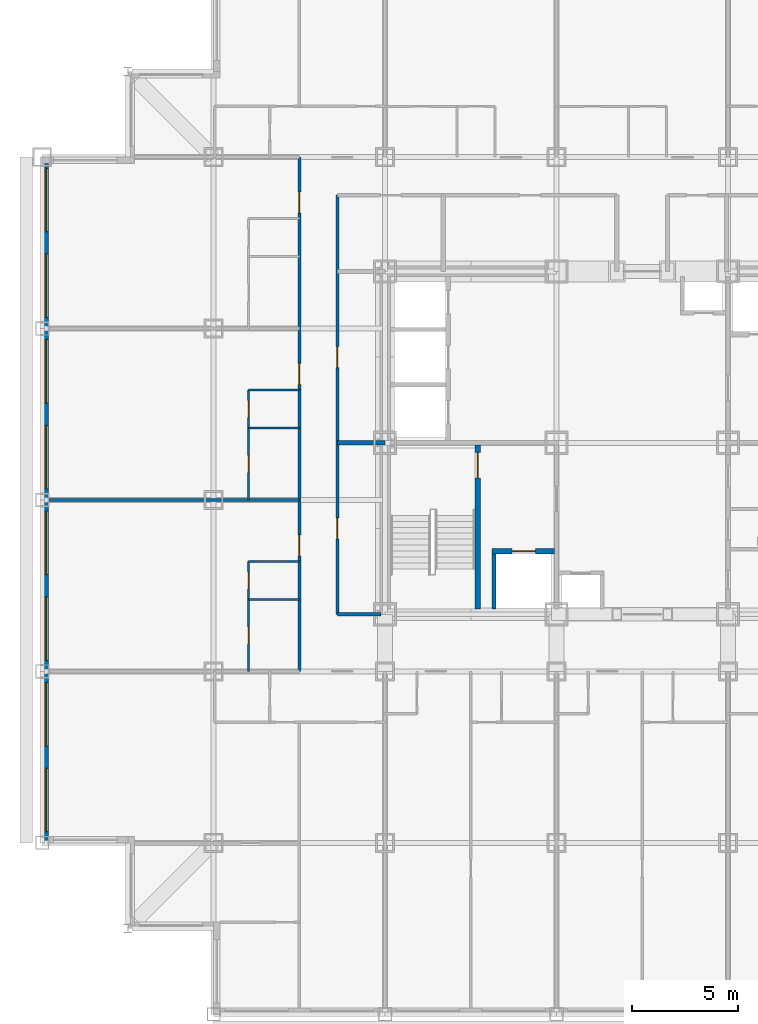
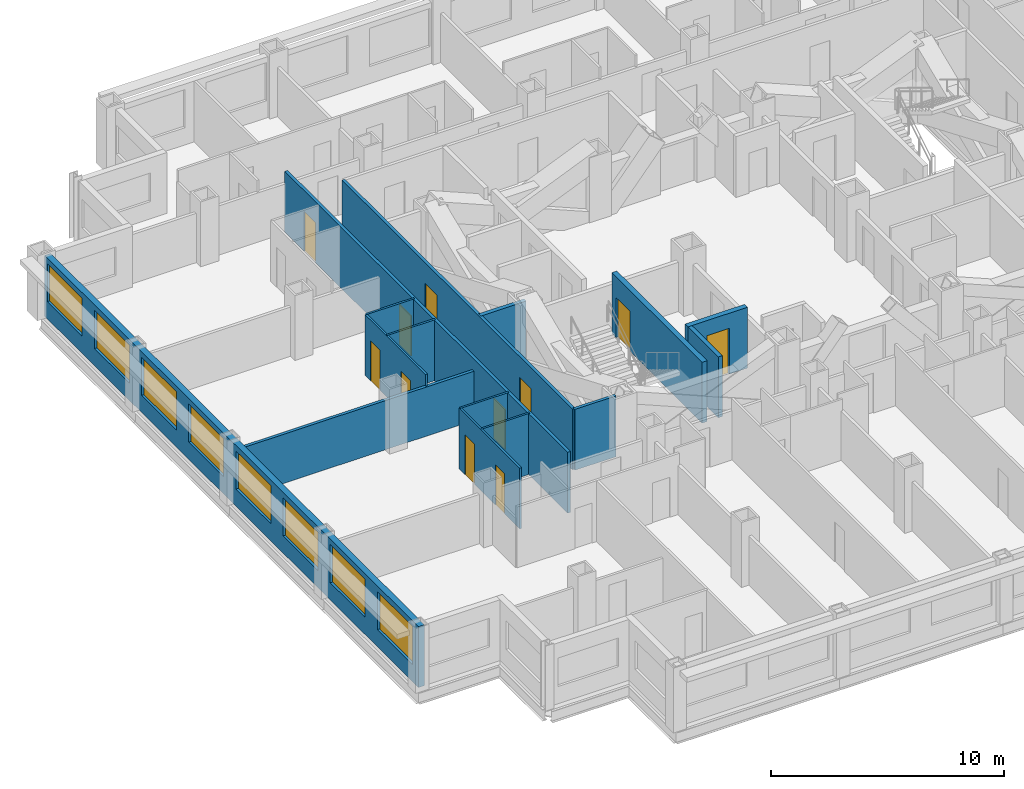
# One storey, part 5 of 13: 15 walls, 11 doors, 8 windows, 19 openings.
"""IFC4 building model written with IfcOpenShell, lengths in metres."""

from ifc_helpers import new_model, si_unit, direction, frame, frame_2d, origin, place, context, subcontext, project, spatial, rectangle, extrude, material, layer, layer_set, type_object, element, fill, save


model = new_model("IFC4")

# Units and contexts
model_context = context("Model", 3, precision=1e-05, world=origin(), true_north=direction((0.0, 1.0)))
body_context = subcontext(model_context, "Body", "Model", "MODEL_VIEW")
ifc_project = project(units=[si_unit("LENGTHUNIT", "METRE"), si_unit("AREAUNIT", "SQUARE_METRE"), si_unit("VOLUMEUNIT", "CUBIC_METRE"), si_unit("PLANEANGLEUNIT", "RADIAN"), si_unit("MASSUNIT", "GRAM", prefix="KILO")], contexts=[model_context])

# Site, building, storey
site_placement = place(None, origin())
site = spatial("IfcSite", under=ifc_project, at=site_placement, CompositionType="ELEMENT")
building_placement = place(site_placement, origin())
building = spatial("IfcBuilding", under=site, at=building_placement, Name="Kopane Lantern Tower", CompositionType="ELEMENT")
storey_placement = place(building_placement, frame((0.0, 0.0, 110.199951171875)))
storey = spatial("IfcBuildingStorey", under=building, at=storey_placement, Name="L27", CompositionType="ELEMENT", Elevation=110.199951171875)

# Wall, openings, doors
ifc_material_1 = material(Name="Moisture-resistant board on steel studs", Category="steel")
ifc_layer_1 = layer(ifc_material_1, 0.10009765625)
ifc_layer_set_1 = layer_set([ifc_layer_1], Name="BATHROOM WALL 100")
wall_type_1 = type_object("IfcWallType", Name="BATHROOM WALL 100", PredefinedType="PARTITIONING", material=ifc_layer_set_1)
wall_1_placement = place(storey_placement, frame((9.75, 21.60009765625, 0.0), z_axis=(0.0, 0.0, 1.0), x_axis=(0.0, 1.0, 0.0)))
wall_1 = element("IfcWall", 1, at=wall_1_placement, inside=storey, type_object=wall_type_1, Name="Bathroom Wall 100 L27", PredefinedType="PARTITIONING", context=body_context, shape_type="SweptSolid", body=[
    extrude(rectangle(XDim=5.199951171875, YDim=0.10009765625, at=frame_2d((2.60009765625, 0.0))), origin(), (0.0, 0.0, 1.0), 3.18994140625),
])
opening_1_placement = place(wall_1_placement, frame((1.300048828125, 0.0, 0.0)))
opening_1 = element("IfcOpeningElement", 2, at=opening_1_placement, cuts=wall_1, Name="Opening L27-030", PredefinedType="OPENING", context=body_context, shape_type="SweptSolid", body=[
    extrude(rectangle(XDim=0.800048828125, YDim=2.10009765625, at=frame_2d((0.39990234375, 1.050048828125))), frame((0.0, 0.06005859375, 0.0), z_axis=(0.0, -1.0, 0.0), x_axis=(1.0, 0.0, 0.0)), (0.0, 0.0, 1.0), 0.1201171875),
])
opening_2_placement = place(wall_1_placement, frame((3.89990234375, 0.0, 0.0)))
opening_2 = element("IfcOpeningElement", 3, at=opening_2_placement, cuts=wall_1, Name="Opening L27-031", PredefinedType="OPENING", context=body_context, shape_type="SweptSolid", body=[
    extrude(rectangle(XDim=0.800048828125, YDim=2.10009765625, at=frame_2d((0.39990234375, 1.050048828125))), frame((0.0, 0.06005859375, 0.0), z_axis=(0.0, -1.0, 0.0), x_axis=(1.0, 0.0, 0.0)), (0.0, 0.0, 1.0), 0.1201171875),
])
ifc_material_2 = material(Name="Timber door set", Category="wood")
door_type_1 = type_object("IfcDoorType", Name="DOOR D2 800x2100", OperationType="SINGLE_SWING_LEFT", PredefinedType="DOOR", material=ifc_material_2)
door_1_placement = place(opening_1_placement, origin())
door_1 = element("IfcDoor", 4, at=door_1_placement, inside=storey, type_object=door_type_1, Name="Door L27-030", OperationType="SINGLE_SWING_LEFT", OverallHeight=2.10009765625, OverallWidth=0.800048828125, PredefinedType="DOOR", context=body_context, shape_type="SweptSolid", body=[
    extrude(rectangle(XDim=0.800048828125, YDim=2.10009765625, at=frame_2d((0.39990234375, 1.050048828125))), frame((0.0, 0.02490234375, 0.0), z_axis=(0.0, -1.0, 0.0), x_axis=(1.0, 0.0, 0.0)), (0.0, 0.0, 1.0), 0.050048828125),
])
fill(opening_1, door_1)
door_2_placement = place(opening_2_placement, origin())
door_2 = element("IfcDoor", 5, at=door_2_placement, inside=storey, type_object=door_type_1, Name="Door L27-031", OperationType="SINGLE_SWING_LEFT", OverallHeight=2.10009765625, OverallWidth=0.800048828125, PredefinedType="DOOR", context=body_context, shape_type="SweptSolid", body=[
    extrude(rectangle(XDim=0.800048828125, YDim=2.10009765625, at=frame_2d((0.39990234375, 1.050048828125))), frame((0.0, 0.02490234375, 0.0), z_axis=(0.0, -1.0, 0.0), x_axis=(1.0, 0.0, 0.0)), (0.0, 0.0, 1.0), 0.050048828125),
])
fill(opening_2, door_2)

# Walls
for number, where, z_axis, x_axis, name in (
    (6, (12.14990234375, 25.0, 0.0), (0.0, 0.0, 1.0), (-1.0, 0.0, 0.0), "Bathroom Wall 100 L27"),
    (7, (12.14990234375, 26.800048828125, 0.0), (0.0, 0.0, 1.0), (-1.0, 0.0, 0.0), "Bathroom Wall 100 L27"),
):
    element("IfcWall", number, at=place(storey_placement, frame(where, z_axis=z_axis, x_axis=x_axis)), inside=storey, type_object=wall_type_1, Name=name, PredefinedType="PARTITIONING", context=body_context, shape_type="SweptSolid", body=[
        extrude(rectangle(XDim=2.39990234375, YDim=0.10009765625, at=frame_2d((1.199951171875, 0.0))), origin(), (0.0, 0.0, 1.0), 3.18994140625),
    ])

# Wall, openings, doors
wall_2_placement = place(storey_placement, frame((9.75, 29.699951171875, 0.0), z_axis=(0.0, 0.0, 1.0), x_axis=(0.0, 1.0, 0.0)))
wall_2 = element("IfcWall", 8, at=wall_2_placement, inside=storey, type_object=wall_type_1, Name="Bathroom Wall 100 L27", PredefinedType="PARTITIONING", context=body_context, shape_type="SweptSolid", body=[
    extrude(rectangle(XDim=5.199951171875, YDim=0.10009765625, at=frame_2d((2.60009765625, 0.0))), origin(), (0.0, 0.0, 1.0), 3.18994140625),
])
opening_3_placement = place(wall_2_placement, frame((1.300048828125, 0.0, 0.0)))
opening_3 = element("IfcOpeningElement", 9, at=opening_3_placement, cuts=wall_2, Name="Opening L27-033", PredefinedType="OPENING", context=body_context, shape_type="SweptSolid", body=[
    extrude(rectangle(XDim=0.800048828125, YDim=2.10009765625, at=frame_2d((0.39990234375, 1.050048828125))), frame((0.0, 0.06005859375, 0.0), z_axis=(0.0, -1.0, 0.0), x_axis=(1.0, 0.0, 0.0)), (0.0, 0.0, 1.0), 0.1201171875),
])
opening_4_placement = place(wall_2_placement, frame((3.89990234375, 0.0, 0.0)))
opening_4 = element("IfcOpeningElement", 10, at=opening_4_placement, cuts=wall_2, Name="Opening L27-034", PredefinedType="OPENING", context=body_context, shape_type="SweptSolid", body=[
    extrude(rectangle(XDim=0.800048828125, YDim=2.10009765625, at=frame_2d((0.39990234375, 1.050048828125))), frame((0.0, 0.06005859375, 0.0), z_axis=(0.0, -1.0, 0.0), x_axis=(1.0, 0.0, 0.0)), (0.0, 0.0, 1.0), 0.1201171875),
])
door_3_placement = place(opening_3_placement, origin())
door_3 = element("IfcDoor", 11, at=door_3_placement, inside=storey, type_object=door_type_1, Name="Door L27-033", OperationType="SINGLE_SWING_LEFT", OverallHeight=2.10009765625, OverallWidth=0.800048828125, PredefinedType="DOOR", context=body_context, shape_type="SweptSolid", body=[
    extrude(rectangle(XDim=0.800048828125, YDim=2.10009765625, at=frame_2d((0.39990234375, 1.050048828125))), frame((0.0, 0.02490234375, 0.0), z_axis=(0.0, -1.0, 0.0), x_axis=(1.0, 0.0, 0.0)), (0.0, 0.0, 1.0), 0.050048828125),
])
fill(opening_3, door_3)
door_4_placement = place(opening_4_placement, origin())
door_4 = element("IfcDoor", 12, at=door_4_placement, inside=storey, type_object=door_type_1, Name="Door L27-034", OperationType="SINGLE_SWING_LEFT", OverallHeight=2.10009765625, OverallWidth=0.800048828125, PredefinedType="DOOR", context=body_context, shape_type="SweptSolid", body=[
    extrude(rectangle(XDim=0.800048828125, YDim=2.10009765625, at=frame_2d((0.39990234375, 1.050048828125))), frame((0.0, 0.02490234375, 0.0), z_axis=(0.0, -1.0, 0.0), x_axis=(1.0, 0.0, 0.0)), (0.0, 0.0, 1.0), 0.050048828125),
])
fill(opening_4, door_4)

# Walls
for number, where, z_axis, x_axis, name in (
    (13, (12.14990234375, 33.10009765625, 0.0), (0.0, 0.0, 1.0), (-1.0, 0.0, 0.0), "Bathroom Wall 100 L27"),
    (14, (12.14990234375, 34.89990234375, 0.0), (0.0, 0.0, 1.0), (-1.0, 0.0, 0.0), "Bathroom Wall 100 L27"),
):
    element("IfcWall", number, at=place(storey_placement, frame(where, z_axis=z_axis, x_axis=x_axis)), inside=storey, type_object=wall_type_1, Name=name, PredefinedType="PARTITIONING", context=body_context, shape_type="SweptSolid", body=[
        extrude(rectangle(XDim=2.39990234375, YDim=0.10009765625, at=frame_2d((1.199951171875, 0.0))), origin(), (0.0, 0.0, 1.0), 3.18994140625),
    ])

# Wall, opening, door
ifc_material_3 = material(Name="Gypsum shaft wall EI 120", Category="gypsum")
ifc_layer_2 = layer(ifc_material_3, 0.25)
ifc_layer_set_2 = layer_set([ifc_layer_2], Name="CORE SHAFT WALL 250 EI 120")
wall_type_2 = type_object("IfcWallType", Name="CORE SHAFT WALL 250 EI 120", PredefinedType="SOLIDWALL", material=ifc_layer_set_2)
wall_3_placement = place(storey_placement, frame((20.574951171875, 24.550048828125, 0.0), z_axis=(0.0, 0.0, 1.0), x_axis=(0.0, 1.0, 0.0)))
wall_3 = element("IfcWall", 15, at=wall_3_placement, inside=storey, type_object=wall_type_2, Name="Core shaft wall L27 XST1", PredefinedType="SOLIDWALL", context=body_context, shape_type="SweptSolid", body=[
    extrude(rectangle(XDim=7.75, YDim=0.25, at=frame_2d((3.875, 0.0))), origin(), (0.0, 0.0, 1.0), 3.18994140625),
])
opening_5_placement = place(wall_3_placement, frame((6.199951171875, 0.0, 0.0)))
opening_5 = element("IfcOpeningElement", 16, at=opening_5_placement, cuts=wall_3, Name="Opening 27.SD1", PredefinedType="OPENING", context=body_context, shape_type="SweptSolid", body=[
    extrude(rectangle(XDim=1.199951171875, YDim=2.10009765625, at=frame_2d((0.60009765625, 1.050048828125))), frame((0.0, 0.135009765625, 0.0), z_axis=(0.0, -1.0, 0.0), x_axis=(1.0, 0.0, 0.0)), (0.0, 0.0, 1.0), 0.27001953125),
])
ifc_material_4 = material(Name="Steel door set", Category="steel")
door_type_2 = type_object("IfcDoorType", Name="STAIR DOOR 1200x2100 FD60S", OperationType="SINGLE_SWING_LEFT", PredefinedType="DOOR", material=ifc_material_4)
door_5_placement = place(opening_5_placement, origin())
door_5 = element("IfcDoor", 17, at=door_5_placement, inside=storey, type_object=door_type_2, Name="Stair door ST1 L27", OperationType="SINGLE_SWING_LEFT", OverallHeight=2.10009765625, OverallWidth=1.199951171875, PredefinedType="DOOR", context=body_context, shape_type="SweptSolid", body=[
    extrude(rectangle(XDim=1.199951171875, YDim=2.10009765625, at=frame_2d((0.60009765625, 1.050048828125))), frame((0.0, 0.02490234375, 0.0), z_axis=(0.0, -1.0, 0.0), x_axis=(1.0, 0.0, 0.0)), (0.0, 0.0, 1.0), 0.050048828125),
])
fill(opening_5, door_5)

wall_4_placement = place(storey_placement, frame((21.25, 27.27490234375, 0.0), z_axis=(0.0, 0.0, 1.0), x_axis=(1.0, 0.0, 0.0)))
wall_4 = element("IfcWall", 18, at=wall_4_placement, inside=storey, type_object=wall_type_2, Name="Core shaft wall L27 YLF1", PredefinedType="SOLIDWALL", context=body_context, shape_type="SweptSolid", body=[
    extrude(rectangle(XDim=2.949951171875, YDim=0.25, at=frame_2d((1.47509765625, 0.0))), origin(), (0.0, 0.0, 1.0), 3.18994140625),
])
opening_6_placement = place(wall_4_placement, frame((0.949951171875, 0.0, 0.0)))
opening_6 = element("IfcOpeningElement", 19, at=opening_6_placement, cuts=wall_4, Name="Opening 27.LD-LF1", PredefinedType="OPENING", context=body_context, shape_type="SweptSolid", body=[
    extrude(rectangle(XDim=1.10009765625, YDim=2.39990234375, at=frame_2d((0.550048828125, 1.199951171875))), frame((0.0, 0.135009765625, 0.0), z_axis=(0.0, -1.0, 0.0), x_axis=(1.0, 0.0, 0.0)), (0.0, 0.0, 1.0), 0.27001953125),
])
ifc_material_5 = material(Name="Steel door set", Category="steel")
door_type_3 = type_object("IfcDoorType", Name="LIFT LANDING DOOR 1100x2400 FD60", OperationType="DOUBLE_DOOR_SLIDING", PredefinedType="DOOR", material=ifc_material_5)
door_6_placement = place(opening_6_placement, origin())
door_6 = element("IfcDoor", 20, at=door_6_placement, inside=storey, type_object=door_type_3, Name="Landing door LF1 L27", OperationType="DOUBLE_DOOR_SLIDING", OverallHeight=2.39990234375, OverallWidth=1.10009765625, PredefinedType="DOOR", context=body_context, shape_type="SweptSolid", body=[
    extrude(rectangle(XDim=1.10009765625, YDim=2.39990234375, at=frame_2d((0.550048828125, 1.199951171875))), frame((0.0, 0.02490234375, 0.0), z_axis=(0.0, -1.0, 0.0), x_axis=(1.0, 0.0, 0.0)), (0.0, 0.0, 1.0), 0.050048828125),
])
fill(opening_6, door_6)

# Wall, openings, doors
ifc_material_6 = material(Name="Gypsum board on steel studs", Category="steel")
ifc_layer_3 = layer(ifc_material_6, 0.14990234375)
ifc_layer_set_3 = layer_set([ifc_layer_3], Name="CORRIDOR WALL 150 EI 60")
wall_type_3 = type_object("IfcWallType", Name="CORRIDOR WALL 150 EI 60", PredefinedType="PARTITIONING", material=ifc_layer_set_3)
wall_5_placement = place(storey_placement, frame((12.14990234375, 21.60009765625, 0.0), z_axis=(0.0, 0.0, 1.0), x_axis=(0.0, 1.0, 0.0)))
wall_5 = element("IfcWall", 21, at=wall_5_placement, inside=storey, type_object=wall_type_3, Name="Corridor Wall 150 Ei 60 L27", PredefinedType="PARTITIONING", context=body_context, shape_type="SweptSolid", body=[
    extrude(rectangle(XDim=24.2998046875, YDim=0.14990234375, at=frame_2d((12.14990234375, 0.0))), origin(), (0.0, 0.0, 1.0), 3.18994140625),
])
opening_7_placement = place(wall_5_placement, frame((5.449951171875, 0.0, 0.0)))
opening_7 = element("IfcOpeningElement", 22, at=opening_7_placement, cuts=wall_5, Name="Opening L27-032", PredefinedType="OPENING", context=body_context, shape_type="SweptSolid", body=[
    extrude(rectangle(XDim=1.0, YDim=2.10009765625, at=frame_2d((0.5, 1.050048828125))), frame((0.0, 0.0849609375, 0.0), z_axis=(0.0, -1.0, 0.0), x_axis=(1.0, 0.0, 0.0)), (0.0, 0.0, 1.0), 0.169921875),
])
opening_8_placement = place(wall_5_placement, frame((13.550048828125, 0.0, 0.0)))
opening_8 = element("IfcOpeningElement", 23, at=opening_8_placement, cuts=wall_5, Name="Opening L27-035", PredefinedType="OPENING", context=body_context, shape_type="SweptSolid", body=[
    extrude(rectangle(XDim=1.0, YDim=2.10009765625, at=frame_2d((0.5, 1.050048828125))), frame((0.0, 0.0849609375, 0.0), z_axis=(0.0, -1.0, 0.0), x_axis=(1.0, 0.0, 0.0)), (0.0, 0.0, 1.0), 0.169921875),
])
opening_9_placement = place(wall_5_placement, frame((21.64990234375, 0.0, 0.0)))
opening_9 = element("IfcOpeningElement", 24, at=opening_9_placement, cuts=wall_5, Name="Opening L27-038", PredefinedType="OPENING", context=body_context, shape_type="SweptSolid", body=[
    extrude(rectangle(XDim=1.0, YDim=2.10009765625, at=frame_2d((0.5, 1.050048828125))), frame((0.0, 0.0849609375, 0.0), z_axis=(0.0, -1.0, 0.0), x_axis=(1.0, 0.0, 0.0)), (0.0, 0.0, 1.0), 0.169921875),
])
ifc_material_7 = material(Name="Steel door set", Category="steel")
door_type_4 = type_object("IfcDoorType", Name="DOOR D1 1000x2100 FD30S", OperationType="SINGLE_SWING_LEFT", PredefinedType="DOOR", material=ifc_material_7)
door_7_placement = place(opening_7_placement, origin())
door_7 = element("IfcDoor", 25, at=door_7_placement, inside=storey, type_object=door_type_4, Name="Door L27-032", OperationType="SINGLE_SWING_LEFT", OverallHeight=2.10009765625, OverallWidth=1.0, PredefinedType="DOOR", context=body_context, shape_type="SweptSolid", body=[
    extrude(rectangle(XDim=1.0, YDim=2.10009765625, at=frame_2d((0.5, 1.050048828125))), frame((0.0, 0.02490234375, 0.0), z_axis=(0.0, -1.0, 0.0), x_axis=(1.0, 0.0, 0.0)), (0.0, 0.0, 1.0), 0.050048828125),
])
fill(opening_7, door_7)
door_8_placement = place(opening_8_placement, origin())
door_8 = element("IfcDoor", 26, at=door_8_placement, inside=storey, type_object=door_type_4, Name="Door L27-035", OperationType="SINGLE_SWING_LEFT", OverallHeight=2.10009765625, OverallWidth=1.0, PredefinedType="DOOR", context=body_context, shape_type="SweptSolid", body=[
    extrude(rectangle(XDim=1.0, YDim=2.10009765625, at=frame_2d((0.5, 1.050048828125))), frame((0.0, 0.02490234375, 0.0), z_axis=(0.0, -1.0, 0.0), x_axis=(1.0, 0.0, 0.0)), (0.0, 0.0, 1.0), 0.050048828125),
])
fill(opening_8, door_8)
door_9_placement = place(opening_9_placement, origin())
door_9 = element("IfcDoor", 27, at=door_9_placement, inside=storey, type_object=door_type_4, Name="Door L27-038", OperationType="SINGLE_SWING_LEFT", OverallHeight=2.10009765625, OverallWidth=1.0, PredefinedType="DOOR", context=body_context, shape_type="SweptSolid", body=[
    extrude(rectangle(XDim=1.0, YDim=2.10009765625, at=frame_2d((0.5, 1.050048828125))), frame((0.0, 0.02490234375, 0.0), z_axis=(0.0, -1.0, 0.0), x_axis=(1.0, 0.0, 0.0)), (0.0, 0.0, 1.0), 0.050048828125),
])
fill(opening_9, door_9)

wall_6_placement = place(storey_placement, frame((13.949951171875, 44.10009765625, 0.0), z_axis=(0.0, 0.0, 1.0), x_axis=(0.0, -1.0, 0.0)))
wall_6 = element("IfcWall", 28, at=wall_6_placement, inside=storey, type_object=wall_type_3, Name="Corridor Wall 150 Ei 60 L27", PredefinedType="PARTITIONING", context=body_context, shape_type="SweptSolid", body=[
    extrude(rectangle(XDim=19.800048828125, YDim=0.14990234375, at=frame_2d((9.89990234375, 0.0))), origin(), (0.0, 0.0, 1.0), 3.18994140625),
])
opening_10_placement = place(wall_6_placement, frame((15.25, 0.0, 0.0)))
opening_10 = element("IfcOpeningElement", 29, at=opening_10_placement, cuts=wall_6, Name="Opening L27-001", PredefinedType="OPENING", context=body_context, shape_type="SweptSolid", body=[
    extrude(rectangle(XDim=1.0, YDim=2.10009765625, at=frame_2d((0.5, 1.050048828125))), frame((0.0, 0.0849609375, 0.0), z_axis=(0.0, -1.0, 0.0), x_axis=(1.0, 0.0, 0.0)), (0.0, 0.0, 1.0), 0.169921875),
])
opening_11_placement = place(wall_6_placement, frame((7.14990234375, 0.0, 0.0)))
opening_11 = element("IfcOpeningElement", 30, at=opening_11_placement, cuts=wall_6, Name="Opening L27-002", PredefinedType="OPENING", context=body_context, shape_type="SweptSolid", body=[
    extrude(rectangle(XDim=1.0, YDim=2.10009765625, at=frame_2d((0.5, 1.050048828125))), frame((0.0, 0.0849609375, 0.0), z_axis=(0.0, -1.0, 0.0), x_axis=(1.0, 0.0, 0.0)), (0.0, 0.0, 1.0), 0.169921875),
])
ifc_material_8 = material(Name="Steel door set", Category="steel")
door_type_5 = type_object("IfcDoorType", Name="DOOR D5 1000x2100 FD60", OperationType="SINGLE_SWING_LEFT", PredefinedType="DOOR", material=ifc_material_8)
door_10_placement = place(opening_10_placement, origin())
door_10 = element("IfcDoor", 31, at=door_10_placement, inside=storey, type_object=door_type_5, Name="Door L27-001", OperationType="SINGLE_SWING_RIGHT", OverallHeight=2.10009765625, OverallWidth=1.0, PredefinedType="DOOR", context=body_context, shape_type="SweptSolid", body=[
    extrude(rectangle(XDim=1.0, YDim=2.10009765625, at=frame_2d((0.5, 1.050048828125))), frame((0.0, 0.02490234375, 0.0), z_axis=(0.0, -1.0, 0.0), x_axis=(1.0, 0.0, 0.0)), (0.0, 0.0, 1.0), 0.050048828125),
])
fill(opening_10, door_10)
door_11_placement = place(opening_11_placement, origin())
door_11 = element("IfcDoor", 32, at=door_11_placement, inside=storey, type_object=door_type_5, Name="Door L27-002", OperationType="SINGLE_SWING_LEFT", OverallHeight=2.10009765625, OverallWidth=1.0, PredefinedType="DOOR", context=body_context, shape_type="SweptSolid", body=[
    extrude(rectangle(XDim=1.0, YDim=2.10009765625, at=frame_2d((0.5, 1.050048828125))), frame((0.0, 0.02490234375, 0.0), z_axis=(0.0, -1.0, 0.0), x_axis=(1.0, 0.0, 0.0)), (0.0, 0.0, 1.0), 0.050048828125),
])
fill(opening_11, door_11)

# Walls
wall_7_placement = place(storey_placement, frame((13.949951171875, 24.300048828125, 0.0), z_axis=(0.0, 0.0, 1.0), x_axis=(1.0, 0.0, 0.0)))
element("IfcWall", 33, at=wall_7_placement, inside=storey, type_object=wall_type_3, Name="Corridor Wall 150 Ei 60 L27", PredefinedType="PARTITIONING", context=body_context, shape_type="SweptSolid", body=[
    extrude(rectangle(XDim=2.050048828125, YDim=0.14990234375, at=frame_2d((1.02490234375, 0.0))), origin(), (0.0, 0.0, 1.0), 3.18994140625),
])
ifc_material_9 = material(Name="Gypsum board on steel studs", Category="steel")
ifc_layer_4 = layer(ifc_material_9, 0.14990234375)
ifc_layer_set_4 = layer_set([ifc_layer_4], Name="DEMISING WALL 150 EI 60")
wall_type_4 = type_object("IfcWallType", Name="DEMISING WALL 150 EI 60", PredefinedType="PARTITIONING", material=ifc_layer_set_4)
wall_8_placement = place(storey_placement, frame((12.14990234375, 29.699951171875, 0.0), z_axis=(0.0, 0.0, 1.0), x_axis=(-1.0, 0.0, 0.0)))
element("IfcWall", 34, at=wall_8_placement, inside=storey, type_object=wall_type_4, Name="Demising Wall 150 Ei 60 L27", PredefinedType="PARTITIONING", context=body_context, shape_type="SweptSolid", body=[
    extrude(rectangle(XDim=11.849853515625, YDim=0.14990234375, at=frame_2d((5.9248046875, 0.0))), origin(), (0.0, 0.0, 1.0), 2.577880859375),
])

# Wall, openings, windows
ifc_material_10 = material(Name="Terracotta rainscreen on light steel framing", Category="masonry")
ifc_layer_5 = layer(ifc_material_10, 0.300048828125)
ifc_layer_set_5 = layer_set([ifc_layer_5], Name="EXTERNAL WALL EW1 300 TERRACOTTA")
wall_type_5 = type_object("IfcWallType", Name="EXTERNAL WALL EW1 300 TERRACOTTA", PredefinedType="SOLIDWALL", material=ifc_layer_set_5)
wall_9_placement = place(storey_placement, frame((0.14990234375, 45.60009765625, 0.0), z_axis=(0.0, 0.0, 1.0), x_axis=(0.0, -1.0, 0.0)))
wall_9 = element("IfcWall", 35, at=wall_9_placement, inside=storey, type_object=wall_type_5, Name="External wall W L27", PredefinedType="SOLIDWALL", context=body_context, shape_type="SweptSolid", body=[
    extrude(rectangle(XDim=32.10009765625, YDim=0.300048828125, at=frame_2d((16.050048828125, 0.0))), origin(), (0.0, 0.0, 1.0), 3.18994140625),
])
opening_12_placement = place(wall_9_placement, frame((0.22509765625, 0.0, 0.89990234375)))
opening_12 = element("IfcOpeningElement", 36, at=opening_12_placement, cuts=wall_9, Name="Opening WR300200", PredefinedType="OPENING", context=body_context, shape_type="SweptSolid", body=[
    extrude(rectangle(XDim=3.0, YDim=2.0, at=frame_2d((1.5, 1.0))), frame((0.0, 0.159912109375, 0.0), z_axis=(0.0, -1.0, 0.0), x_axis=(1.0, 0.0, 0.0)), (0.0, 0.0, 1.0), 0.320068359375),
])
opening_13_placement = place(wall_9_placement, frame((4.27490234375, 0.0, 0.89990234375)))
opening_13 = element("IfcOpeningElement", 37, at=opening_13_placement, cuts=wall_9, Name="Opening WR300200", PredefinedType="OPENING", context=body_context, shape_type="SweptSolid", body=[
    extrude(rectangle(XDim=3.0, YDim=2.0, at=frame_2d((1.5, 1.0))), frame((0.0, 0.159912109375, 0.0), z_axis=(0.0, -1.0, 0.0), x_axis=(1.0, 0.0, 0.0)), (0.0, 0.0, 1.0), 0.320068359375),
])
opening_14_placement = place(wall_9_placement, frame((8.324951171875, 0.0, 0.89990234375)))
opening_14 = element("IfcOpeningElement", 38, at=opening_14_placement, cuts=wall_9, Name="Opening WR300200", PredefinedType="OPENING", context=body_context, shape_type="SweptSolid", body=[
    extrude(rectangle(XDim=3.0, YDim=2.0, at=frame_2d((1.5, 1.0))), frame((0.0, 0.159912109375, 0.0), z_axis=(0.0, -1.0, 0.0), x_axis=(1.0, 0.0, 0.0)), (0.0, 0.0, 1.0), 0.320068359375),
])
opening_15_placement = place(wall_9_placement, frame((12.375, 0.0, 0.89990234375)))
opening_15 = element("IfcOpeningElement", 39, at=opening_15_placement, cuts=wall_9, Name="Opening WR300200", PredefinedType="OPENING", context=body_context, shape_type="SweptSolid", body=[
    extrude(rectangle(XDim=3.0, YDim=2.0, at=frame_2d((1.5, 1.0))), frame((0.0, 0.159912109375, 0.0), z_axis=(0.0, -1.0, 0.0), x_axis=(1.0, 0.0, 0.0)), (0.0, 0.0, 1.0), 0.320068359375),
])
opening_16_placement = place(wall_9_placement, frame((16.425048828125, 0.0, 0.89990234375)))
opening_16 = element("IfcOpeningElement", 40, at=opening_16_placement, cuts=wall_9, Name="Opening WR300200", PredefinedType="OPENING", context=body_context, shape_type="SweptSolid", body=[
    extrude(rectangle(XDim=3.0, YDim=2.0, at=frame_2d((1.5, 1.0))), frame((0.0, 0.159912109375, 0.0), z_axis=(0.0, -1.0, 0.0), x_axis=(1.0, 0.0, 0.0)), (0.0, 0.0, 1.0), 0.320068359375),
])
opening_17_placement = place(wall_9_placement, frame((20.47509765625, 0.0, 0.89990234375)))
opening_17 = element("IfcOpeningElement", 41, at=opening_17_placement, cuts=wall_9, Name="Opening WR300200", PredefinedType="OPENING", context=body_context, shape_type="SweptSolid", body=[
    extrude(rectangle(XDim=3.0, YDim=2.0, at=frame_2d((1.5, 1.0))), frame((0.0, 0.159912109375, 0.0), z_axis=(0.0, -1.0, 0.0), x_axis=(1.0, 0.0, 0.0)), (0.0, 0.0, 1.0), 0.320068359375),
])
opening_18_placement = place(wall_9_placement, frame((24.52490234375, 0.0, 0.89990234375)))
opening_18 = element("IfcOpeningElement", 42, at=opening_18_placement, cuts=wall_9, Name="Opening WR300200", PredefinedType="OPENING", context=body_context, shape_type="SweptSolid", body=[
    extrude(rectangle(XDim=3.0, YDim=2.0, at=frame_2d((1.5, 1.0))), frame((0.0, 0.159912109375, 0.0), z_axis=(0.0, -1.0, 0.0), x_axis=(1.0, 0.0, 0.0)), (0.0, 0.0, 1.0), 0.320068359375),
])
opening_19_placement = place(wall_9_placement, frame((28.574951171875, 0.0, 0.89990234375)))
opening_19 = element("IfcOpeningElement", 43, at=opening_19_placement, cuts=wall_9, Name="Opening WR300200", PredefinedType="OPENING", context=body_context, shape_type="SweptSolid", body=[
    extrude(rectangle(XDim=3.0, YDim=2.0, at=frame_2d((1.5, 1.0))), frame((0.0, 0.159912109375, 0.0), z_axis=(0.0, -1.0, 0.0), x_axis=(1.0, 0.0, 0.0)), (0.0, 0.0, 1.0), 0.320068359375),
])
ifc_material_11 = material(Name="Aluminium and clear glass", Category="aluminium")
window_type = type_object("IfcWindowType", Name="RIBBON WINDOW WR300200 3000x2000", PartitioningType="SINGLE_PANEL", PredefinedType="WINDOW", material=ifc_material_11)
window_1_placement = place(opening_12_placement, origin())
window_1 = element("IfcWindow", 44, at=window_1_placement, inside=storey, type_object=window_type, Name="Window W L27", OverallHeight=2.0, OverallWidth=3.0, PartitioningType="SINGLE_PANEL", PredefinedType="WINDOW", context=body_context, shape_type="SweptSolid", body=[
    extrude(rectangle(XDim=3.0, YDim=2.0, at=frame_2d((1.5, 1.0))), frame((0.0, 0.030029296875, 0.0), z_axis=(0.0, -1.0, 0.0), x_axis=(1.0, 0.0, 0.0)), (0.0, 0.0, 1.0), 0.06005859375),
])
fill(opening_12, window_1)
window_2_placement = place(opening_13_placement, origin())
window_2 = element("IfcWindow", 45, at=window_2_placement, inside=storey, type_object=window_type, Name="Window W L27", OverallHeight=2.0, OverallWidth=3.0, PartitioningType="SINGLE_PANEL", PredefinedType="WINDOW", context=body_context, shape_type="SweptSolid", body=[
    extrude(rectangle(XDim=3.0, YDim=2.0, at=frame_2d((1.5, 1.0))), frame((0.0, 0.030029296875, 0.0), z_axis=(0.0, -1.0, 0.0), x_axis=(1.0, 0.0, 0.0)), (0.0, 0.0, 1.0), 0.06005859375),
])
fill(opening_13, window_2)
window_3_placement = place(opening_14_placement, origin())
window_3 = element("IfcWindow", 46, at=window_3_placement, inside=storey, type_object=window_type, Name="Window W L27", OverallHeight=2.0, OverallWidth=3.0, PartitioningType="SINGLE_PANEL", PredefinedType="WINDOW", context=body_context, shape_type="SweptSolid", body=[
    extrude(rectangle(XDim=3.0, YDim=2.0, at=frame_2d((1.5, 1.0))), frame((0.0, 0.030029296875, 0.0), z_axis=(0.0, -1.0, 0.0), x_axis=(1.0, 0.0, 0.0)), (0.0, 0.0, 1.0), 0.06005859375),
])
fill(opening_14, window_3)
window_4_placement = place(opening_15_placement, origin())
window_4 = element("IfcWindow", 47, at=window_4_placement, inside=storey, type_object=window_type, Name="Window W L27", OverallHeight=2.0, OverallWidth=3.0, PartitioningType="SINGLE_PANEL", PredefinedType="WINDOW", context=body_context, shape_type="SweptSolid", body=[
    extrude(rectangle(XDim=3.0, YDim=2.0, at=frame_2d((1.5, 1.0))), frame((0.0, 0.030029296875, 0.0), z_axis=(0.0, -1.0, 0.0), x_axis=(1.0, 0.0, 0.0)), (0.0, 0.0, 1.0), 0.06005859375),
])
fill(opening_15, window_4)
window_5_placement = place(opening_16_placement, origin())
window_5 = element("IfcWindow", 48, at=window_5_placement, inside=storey, type_object=window_type, Name="Window W L27", OverallHeight=2.0, OverallWidth=3.0, PartitioningType="SINGLE_PANEL", PredefinedType="WINDOW", context=body_context, shape_type="SweptSolid", body=[
    extrude(rectangle(XDim=3.0, YDim=2.0, at=frame_2d((1.5, 1.0))), frame((0.0, 0.030029296875, 0.0), z_axis=(0.0, -1.0, 0.0), x_axis=(1.0, 0.0, 0.0)), (0.0, 0.0, 1.0), 0.06005859375),
])
fill(opening_16, window_5)
window_6_placement = place(opening_17_placement, origin())
window_6 = element("IfcWindow", 49, at=window_6_placement, inside=storey, type_object=window_type, Name="Window W L27", OverallHeight=2.0, OverallWidth=3.0, PartitioningType="SINGLE_PANEL", PredefinedType="WINDOW", context=body_context, shape_type="SweptSolid", body=[
    extrude(rectangle(XDim=3.0, YDim=2.0, at=frame_2d((1.5, 1.0))), frame((0.0, 0.030029296875, 0.0), z_axis=(0.0, -1.0, 0.0), x_axis=(1.0, 0.0, 0.0)), (0.0, 0.0, 1.0), 0.06005859375),
])
fill(opening_17, window_6)
window_7_placement = place(opening_18_placement, origin())
window_7 = element("IfcWindow", 50, at=window_7_placement, inside=storey, type_object=window_type, Name="Window W L27", OverallHeight=2.0, OverallWidth=3.0, PartitioningType="SINGLE_PANEL", PredefinedType="WINDOW", context=body_context, shape_type="SweptSolid", body=[
    extrude(rectangle(XDim=3.0, YDim=2.0, at=frame_2d((1.5, 1.0))), frame((0.0, 0.030029296875, 0.0), z_axis=(0.0, -1.0, 0.0), x_axis=(1.0, 0.0, 0.0)), (0.0, 0.0, 1.0), 0.06005859375),
])
fill(opening_18, window_7)
window_8_placement = place(opening_19_placement, origin())
window_8 = element("IfcWindow", 51, at=window_8_placement, inside=storey, type_object=window_type, Name="Window W L27", OverallHeight=2.0, OverallWidth=3.0, PartitioningType="SINGLE_PANEL", PredefinedType="WINDOW", context=body_context, shape_type="SweptSolid", body=[
    extrude(rectangle(XDim=3.0, YDim=2.0, at=frame_2d((1.5, 1.0))), frame((0.0, 0.030029296875, 0.0), z_axis=(0.0, -1.0, 0.0), x_axis=(1.0, 0.0, 0.0)), (0.0, 0.0, 1.0), 0.06005859375),
])
fill(opening_19, window_8)

# Walls
ifc_material_12 = material(Name="Concrete masonry", Category="masonry")
ifc_layer_6 = layer(ifc_material_12, 0.199951171875)
ifc_layer_set_6 = layer_set([ifc_layer_6], Name="PLANT ROOM WALL 200 EI 120")
wall_type_6 = type_object("IfcWallType", Name="PLANT ROOM WALL 200 EI 120", PredefinedType="SOLIDWALL", material=ifc_layer_set_6)
wall_10_placement = place(storey_placement, frame((13.949951171875, 32.39990234375, 0.0), z_axis=(0.0, 0.0, 1.0), x_axis=(1.0, 0.0, 0.0)))
element("IfcWall", 52, at=wall_10_placement, inside=storey, type_object=wall_type_6, Name="Plant Room Wall 200 Ei 120 L27", PredefinedType="SOLIDWALL", context=body_context, shape_type="SweptSolid", body=[
    extrude(rectangle(XDim=2.25, YDim=0.199951171875, at=frame_2d((1.125, 0.0))), origin(), (0.0, 0.0, 1.0), 3.18994140625),
])
ifc_material_13 = material(Name="Gypsum shaft wall EI 120", Category="gypsum")
ifc_layer_7 = layer(ifc_material_13, 0.199951171875)
ifc_layer_set_7 = layer_set([ifc_layer_7], Name="SHAFT WALL 200 EI 120")
wall_type_7 = type_object("IfcWallType", Name="SHAFT WALL 200 EI 120", PredefinedType="SOLIDWALL", material=ifc_layer_set_7)
wall_11_placement = place(storey_placement, frame((21.35009765625, 24.550048828125, 0.0), z_axis=(0.0, 0.0, 1.0), x_axis=(0.0, 1.0, 0.0)))
element("IfcWall", 53, at=wall_11_placement, inside=storey, type_object=wall_type_7, Name="Core shaft wall L27 XLF1", PredefinedType="SOLIDWALL", context=body_context, shape_type="SweptSolid", body=[
    extrude(rectangle(XDim=2.599853515625, YDim=0.199951171875, at=frame_2d((1.2998046875, 0.0))), origin(), (0.0, 0.0, 1.0), 3.18994140625),
])

save(model, "model.ifc")
